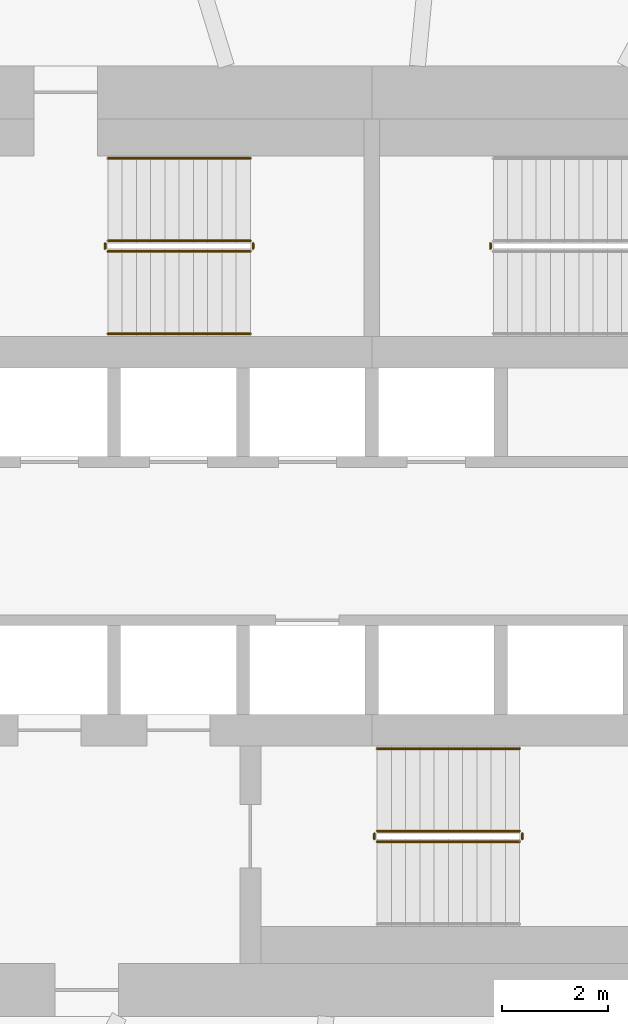
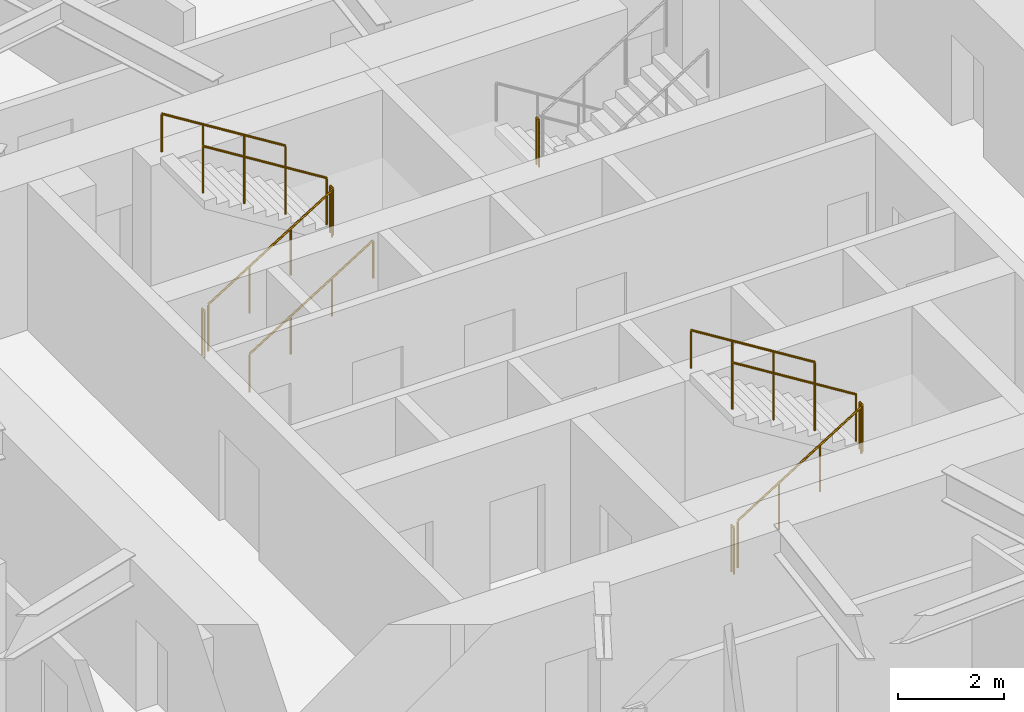
# One storey, part 13 of 17: 12 railings.
"""IFC4 building model written with IfcOpenShell, lengths in metres."""

from ifc_helpers import new_model, si_unit, direction, frame, origin, origin_2d, place, context, subcontext, project, spatial, circle, extrude, material, type_object, element, save


model = new_model("IFC4")

# Units and contexts
model_context = context("Model", 3, precision=1e-05, world=origin(), true_north=direction((0.0, 1.0)))
body_context = subcontext(model_context, "Body", "Model", "MODEL_VIEW")
ifc_project = project(units=[si_unit("LENGTHUNIT", "METRE"), si_unit("AREAUNIT", "SQUARE_METRE"), si_unit("VOLUMEUNIT", "CUBIC_METRE"), si_unit("PLANEANGLEUNIT", "RADIAN"), si_unit("MASSUNIT", "GRAM", prefix="KILO")], contexts=[model_context])

# Site, building, storey
site_placement = place(None, origin())
site = spatial("IfcSite", under=ifc_project, at=site_placement, CompositionType="ELEMENT")
building_placement = place(site_placement, origin())
building = spatial("IfcBuilding", under=site, at=building_placement, Name="Vermilion Reach Broadcast Tower", CompositionType="ELEMENT")
storey_placement = place(building_placement, frame((0.0, 0.0, 76.699951171875)))
storey = spatial("IfcBuildingStorey", under=building, at=storey_placement, Name="L16", CompositionType="ELEMENT", Elevation=76.699951171875)

# Railings
ifc_material_1 = material(Name="Stainless steel", Category="steel")
railing_type_1 = type_object("IfcRailingType", Name="Stair guard 1100", PredefinedType="GUARDRAIL", material=ifc_material_1)
railing_1_placement = place(storey_placement, frame((-11.0, 5.489990234375, 0.168212890625)))
element("IfcRailing", 1, at=railing_1_placement, inside=storey, type_object=railing_type_1, Name="L16 ST1 stair guard 1", PredefinedType="GUARDRAIL", context=body_context, shape_type="SweptSolid", body=[
    extrude(circle(Radius=0.02392578125, at=origin_2d()), frame((0.0, 0.0, 1.076171875), z_axis=(0.848786430784, 0.0, 0.528735846068), x_axis=(0.0, 1.0, 0.0)), (0.0, 0.0, 1.0), 3.180908203125),
    extrude(circle(Radius=0.02099609375, at=origin_2d()), origin(), (0.0, 0.0, 1.0), 1.052001953125),
    extrude(circle(Radius=0.02099609375, at=origin_2d()), frame((0.89990234375, 0.0, 0.560546875)), (0.0, 0.0, 1.0), 1.052001953125),
    extrude(circle(Radius=0.02099609375, at=origin_2d()), frame((1.800048828125, 0.0, 1.121337890625)), (0.0, 0.0, 1.0), 1.052001953125),
    extrude(circle(Radius=0.02099609375, at=origin_2d()), frame((2.699951171875, 0.0, 1.681884765625)), (0.0, 0.0, 1.0), 1.052001953125),
])
railing_2_placement = place(storey_placement, frame((-8.25, 5.5400390625, 1.85009765625)))
element("IfcRailing", 2, at=railing_2_placement, inside=storey, type_object=railing_type_1, Name="L16 ST1 stair guard 2", PredefinedType="GUARDRAIL", context=body_context, shape_type="SweptSolid", body=[
    extrude(circle(Radius=0.02392578125, at=origin_2d()), frame((0.0, 0.0, 1.076171875), z_axis=(0.0, 1.0, 0.0), x_axis=(-1.0, 0.0, 0.0)), (0.0, 0.0, 1.0), 0.099853515625),
    extrude(circle(Radius=0.02099609375, at=origin_2d()), origin(), (0.0, 0.0, 1.0), 1.052001953125),
    extrude(circle(Radius=0.02099609375, at=origin_2d()), frame((0.0, 0.099853515625, 0.0)), (0.0, 0.0, 1.0), 1.052001953125),
])
railing_3_placement = place(storey_placement, frame((-8.300048828125, 5.68994140625, 2.018310546875)))
element("IfcRailing", 3, at=railing_3_placement, inside=storey, type_object=railing_type_1, Name="L16 ST1 stair guard 3", PredefinedType="GUARDRAIL", context=body_context, shape_type="SweptSolid", body=[
    extrude(circle(Radius=0.02392578125, at=origin_2d()), frame((0.0, 0.0, 1.076171875), z_axis=(-0.84882087487, 0.0, 0.528680548522), x_axis=(0.0, -1.0, 0.0)), (0.0, 0.0, 1.0), 3.180908203125),
    extrude(circle(Radius=0.02099609375, at=origin_2d()), origin(), (0.0, 0.0, 1.0), 1.052001953125),
    extrude(circle(Radius=0.02099609375, at=origin_2d()), frame((-0.89990234375, 0.0, 0.560546875)), (0.0, 0.0, 1.0), 1.052001953125),
    extrude(circle(Radius=0.02099609375, at=origin_2d()), frame((-1.800048828125, 0.0, 1.12109375)), (0.0, 0.0, 1.0), 1.052001953125),
    extrude(circle(Radius=0.02099609375, at=origin_2d()), frame((-2.699951171875, 0.0, 1.681640625)), (0.0, 0.0, 1.0), 1.052001953125),
])
railing_4_placement = place(storey_placement, frame((-11.050048828125, 5.5400390625, 0.0)))
element("IfcRailing", 4, at=railing_4_placement, inside=storey, type_object=railing_type_1, Name="L16 ST1 stair guard 4", PredefinedType="GUARDRAIL", context=body_context, shape_type="SweptSolid", body=[
    extrude(circle(Radius=0.02392578125, at=origin_2d()), frame((0.0, 0.0, 1.076171875), z_axis=(0.0, 1.0, 0.0), x_axis=(-1.0, 0.0, 0.0)), (0.0, 0.0, 1.0), 0.099853515625),
    extrude(circle(Radius=0.02099609375, at=origin_2d()), origin(), (0.0, 0.0, 1.0), 1.052001953125),
    extrude(circle(Radius=0.02099609375, at=origin_2d()), frame((0.0, 0.099853515625, 0.0)), (0.0, 0.0, 1.0), 1.052001953125),
])
railing_5_placement = place(storey_placement, frame((-3.75, 5.639892578125, 1.85009765625)))
element("IfcRailing", 5, at=railing_5_placement, inside=storey, type_object=railing_type_1, Name="L16 ST2 stair guard 2", PredefinedType="GUARDRAIL", context=body_context, shape_type="SweptSolid", body=[
    extrude(circle(Radius=0.02392578125, at=origin_2d()), frame((0.0, 0.0, 1.076171875), z_axis=(0.0, -1.0, 0.0), x_axis=(1.0, 0.0, 0.0)), (0.0, 0.0, 1.0), 0.099853515625),
    extrude(circle(Radius=0.02099609375, at=origin_2d()), origin(), (0.0, 0.0, 1.0), 1.052001953125),
    extrude(circle(Radius=0.02099609375, at=origin_2d()), frame((0.0, -0.099853515625, 0.0)), (0.0, 0.0, 1.0), 1.052001953125),
])
railing_6_placement = place(storey_placement, frame((-5.89990234375, -5.68994140625, 0.168212890625)))
element("IfcRailing", 6, at=railing_6_placement, inside=storey, type_object=railing_type_1, Name="L16 ST3 stair guard 1", PredefinedType="GUARDRAIL", context=body_context, shape_type="SweptSolid", body=[
    extrude(circle(Radius=0.02392578125, at=origin_2d()), frame((0.0, 0.0, 1.076171875), z_axis=(0.848786430784, 0.0, 0.528735846068), x_axis=(0.0, 1.0, 0.0)), (0.0, 0.0, 1.0), 3.180908203125),
    extrude(circle(Radius=0.02099609375, at=origin_2d()), origin(), (0.0, 0.0, 1.0), 1.052001953125),
    extrude(circle(Radius=0.02099609375, at=origin_2d()), frame((0.89990234375, 0.0, 0.560546875)), (0.0, 0.0, 1.0), 1.052001953125),
    extrude(circle(Radius=0.02099609375, at=origin_2d()), frame((1.800048828125, 0.0, 1.121337890625)), (0.0, 0.0, 1.0), 1.052001953125),
    extrude(circle(Radius=0.02099609375, at=origin_2d()), frame((2.699951171875, 0.0, 1.681884765625)), (0.0, 0.0, 1.0), 1.052001953125),
])
railing_7_placement = place(storey_placement, frame((-3.14990234375, -5.639892578125, 1.85009765625)))
element("IfcRailing", 7, at=railing_7_placement, inside=storey, type_object=railing_type_1, Name="L16 ST3 stair guard 2", PredefinedType="GUARDRAIL", context=body_context, shape_type="SweptSolid", body=[
    extrude(circle(Radius=0.02392578125, at=origin_2d()), frame((0.0, 0.0, 1.076171875), z_axis=(0.0, 1.0, 0.0), x_axis=(-1.0, 0.0, 0.0)), (0.0, 0.0, 1.0), 0.099853515625),
    extrude(circle(Radius=0.02099609375, at=origin_2d()), origin(), (0.0, 0.0, 1.0), 1.052001953125),
    extrude(circle(Radius=0.02099609375, at=origin_2d()), frame((0.0, 0.099853515625, 0.0)), (0.0, 0.0, 1.0), 1.052001953125),
])
railing_8_placement = place(storey_placement, frame((-3.199951171875, -5.489990234375, 2.018310546875)))
element("IfcRailing", 8, at=railing_8_placement, inside=storey, type_object=railing_type_1, Name="L16 ST3 stair guard 3", PredefinedType="GUARDRAIL", context=body_context, shape_type="SweptSolid", body=[
    extrude(circle(Radius=0.02392578125, at=origin_2d()), frame((0.0, 0.0, 1.076171875), z_axis=(-0.84882087487, 0.0, 0.528680548522), x_axis=(0.0, -1.0, 0.0)), (0.0, 0.0, 1.0), 3.180908203125),
    extrude(circle(Radius=0.02099609375, at=origin_2d()), origin(), (0.0, 0.0, 1.0), 1.052001953125),
    extrude(circle(Radius=0.02099609375, at=origin_2d()), frame((-0.89990234375, 0.0, 0.560546875)), (0.0, 0.0, 1.0), 1.052001953125),
    extrude(circle(Radius=0.02099609375, at=origin_2d()), frame((-1.800048828125, 0.0, 1.12109375)), (0.0, 0.0, 1.0), 1.052001953125),
    extrude(circle(Radius=0.02099609375, at=origin_2d()), frame((-2.699951171875, 0.0, 1.681640625)), (0.0, 0.0, 1.0), 1.052001953125),
])
railing_9_placement = place(storey_placement, frame((-5.949951171875, -5.639892578125, 0.0)))
element("IfcRailing", 9, at=railing_9_placement, inside=storey, type_object=railing_type_1, Name="L16 ST3 stair guard 4", PredefinedType="GUARDRAIL", context=body_context, shape_type="SweptSolid", body=[
    extrude(circle(Radius=0.02392578125, at=origin_2d()), frame((0.0, 0.0, 1.076171875), z_axis=(0.0, 1.0, 0.0), x_axis=(-1.0, 0.0, 0.0)), (0.0, 0.0, 1.0), 0.099853515625),
    extrude(circle(Radius=0.02099609375, at=origin_2d()), origin(), (0.0, 0.0, 1.0), 1.052001953125),
    extrude(circle(Radius=0.02099609375, at=origin_2d()), frame((0.0, 0.099853515625, 0.0)), (0.0, 0.0, 1.0), 1.052001953125),
])
ifc_material_2 = material(Name="Stainless steel", Category="steel")
railing_type_2 = type_object("IfcRailingType", Name="Stair handrail", PredefinedType="HANDRAIL", material=ifc_material_2)
railing_10_placement = place(storey_placement, frame((-11.0, 3.929931640625, 0.168212890625)))
element("IfcRailing", 10, at=railing_10_placement, inside=storey, type_object=railing_type_2, Name="L16 ST1 stair handrail 1", PredefinedType="HANDRAIL", context=body_context, shape_type="SweptSolid", body=[
    extrude(circle(Radius=0.02392578125, at=origin_2d()), frame((0.0, 0.0, 0.8759765625), z_axis=(0.848786430784, 0.0, 0.528735846068), x_axis=(0.0, 1.0, 0.0)), (0.0, 0.0, 1.0), 3.180908203125),
    extrude(circle(Radius=0.02099609375, at=origin_2d()), origin(), (0.0, 0.0, 1.0), 0.851806640625),
    extrude(circle(Radius=0.02099609375, at=origin_2d()), frame((0.89990234375, 0.0, 0.560546875)), (0.0, 0.0, 1.0), 0.851806640625),
    extrude(circle(Radius=0.02099609375, at=origin_2d()), frame((1.800048828125, 0.0, 1.121337890625)), (0.0, 0.0, 1.0), 0.851806640625),
    extrude(circle(Radius=0.02099609375, at=origin_2d()), frame((2.699951171875, 0.0, 1.681884765625)), (0.0, 0.0, 1.0), 0.851806640625),
])
for number, where, name in (
    (11, (-8.300048828125, 7.25, 2.018310546875), "L16 ST1 stair handrail 2"),
    (12, (-3.199951171875, -3.929931640625, 2.018310546875), "L16 ST3 stair handrail 2"),
):
    element("IfcRailing", number, at=place(storey_placement, frame(where)), inside=storey, type_object=railing_type_2, Name=name, PredefinedType="HANDRAIL", context=body_context, shape_type="SweptSolid", body=[
        extrude(circle(Radius=0.02392578125, at=origin_2d()), frame((0.0, 0.0, 0.8759765625), z_axis=(-0.84882087487, 0.0, 0.528680548522), x_axis=(0.0, -1.0, 0.0)), (0.0, 0.0, 1.0), 3.180908203125),
        extrude(circle(Radius=0.02099609375, at=origin_2d()), origin(), (0.0, 0.0, 1.0), 0.851806640625),
        extrude(circle(Radius=0.02099609375, at=origin_2d()), frame((-0.89990234375, 0.0, 0.560546875)), (0.0, 0.0, 1.0), 0.851806640625),
        extrude(circle(Radius=0.02099609375, at=origin_2d()), frame((-1.800048828125, 0.0, 1.12109375)), (0.0, 0.0, 1.0), 0.851806640625),
        extrude(circle(Radius=0.02099609375, at=origin_2d()), frame((-2.699951171875, 0.0, 1.681640625)), (0.0, 0.0, 1.0), 0.851806640625),
    ])

save(model, "model.ifc")
